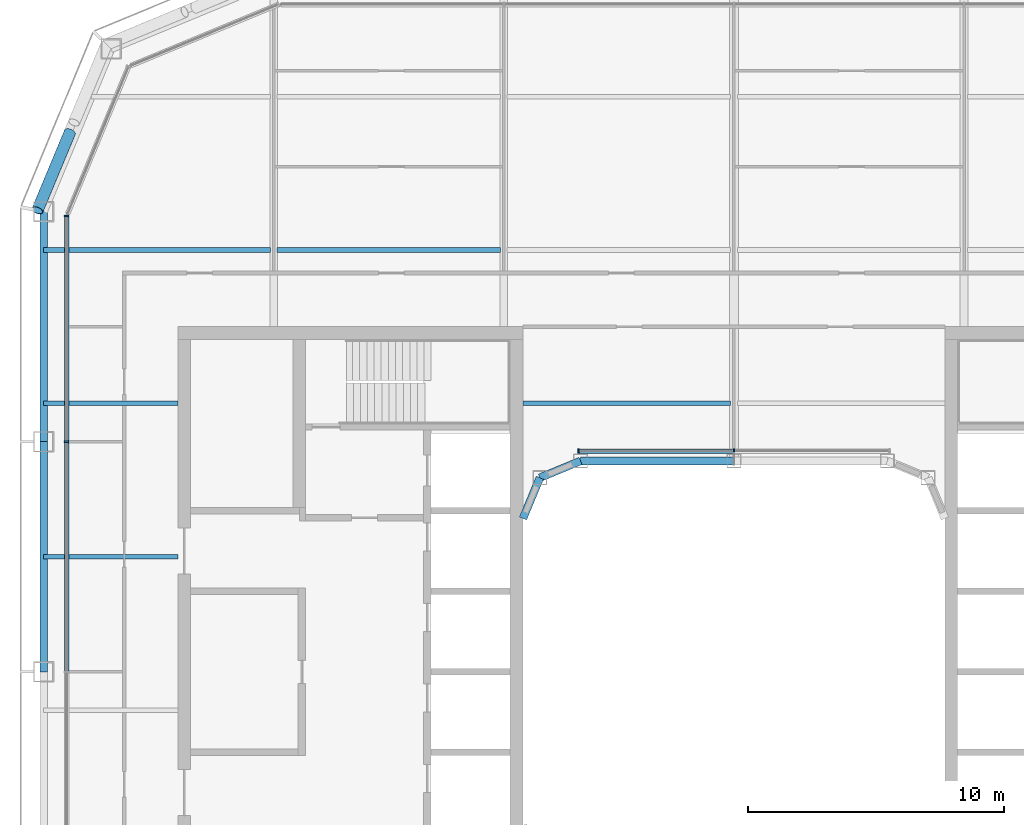
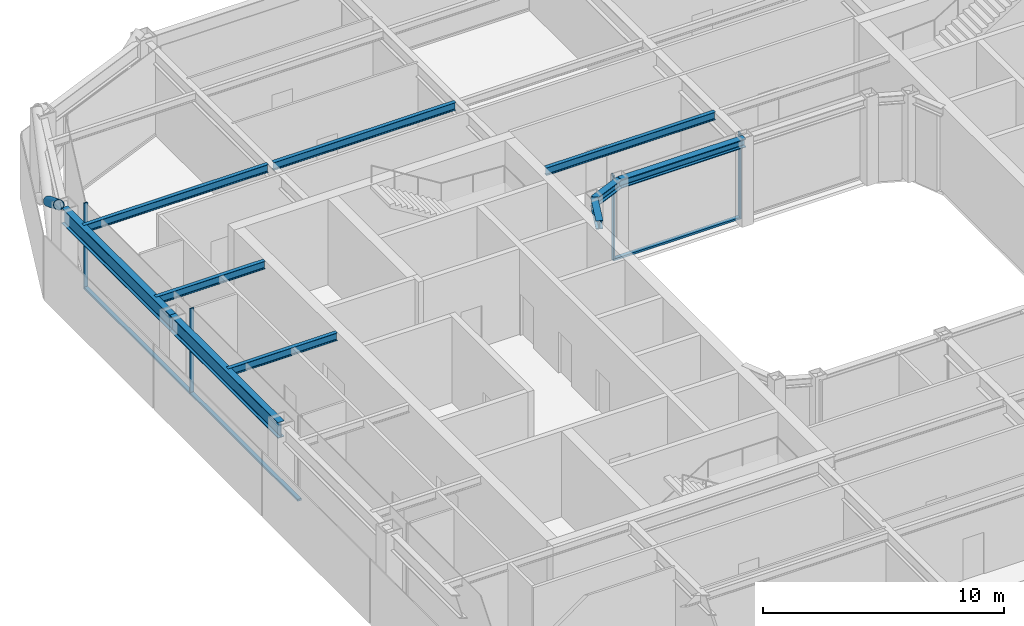
# One storey, part 6 of 23: 10 beams, 8 members, 2 elements without a shape of their own.
"""IFC4 building model written with IfcOpenShell, lengths in metres."""

from ifc_helpers import new_model, si_unit, direction, frame, origin, origin_2d, place, context, subcontext, project, spatial, rectangle, hollow_circle, i_section, extrude, material, layer, layer_set, material_profile, profile_set, type_object, element, aggregate, save


model = new_model("IFC4")

# Units and contexts
model_context = context("Model", 3, precision=1e-05, world=origin(), true_north=direction((0.0, 1.0)))
body_context = subcontext(model_context, "Body", "Model", "MODEL_VIEW")
ifc_project = project(units=[si_unit("LENGTHUNIT", "METRE"), si_unit("AREAUNIT", "SQUARE_METRE"), si_unit("VOLUMEUNIT", "CUBIC_METRE"), si_unit("PLANEANGLEUNIT", "RADIAN"), si_unit("MASSUNIT", "GRAM", prefix="KILO")], contexts=[model_context])

# Site, building, storey
site_placement = place(None, origin())
site = spatial("IfcSite", under=ifc_project, at=site_placement, CompositionType="ELEMENT")
building_placement = place(site_placement, origin())
building = spatial("IfcBuilding", under=site, at=building_placement, Name="Siwar Civic Tower", CompositionType="ELEMENT")
storey_placement = place(building_placement, frame((0.0, 0.0, 242.199951171875)))
storey = spatial("IfcBuildingStorey", under=building, at=storey_placement, Name="L52", CompositionType="ELEMENT", Elevation=242.199951171875)

# Curtain wall, members
ifc_material_1 = material(Name="Aluminium and glass", Category="aluminium")
ifc_layer_1 = layer(ifc_material_1, 0.179931640625)
ifc_layer_set_1 = layer_set([ifc_layer_1], Name="Aluminium and glass")
curtain_wall_type_1 = type_object("IfcCurtainWallType", Name="ENV-CW-C", PredefinedType="NOTDEFINED", material=ifc_layer_set_1)
curtain_wall_1_placement = place(storey_placement, origin())
curtain_wall_1 = element("IfcCurtainWall", 1, at=curtain_wall_1_placement, inside=storey, type_object=curtain_wall_type_1, Name="Curtain wall C W", PredefinedType="NOTDEFINED")
ifc_material_2 = material(Name="Aluminium 6063-T6", Category="aluminium")
ifc_material_profile_1 = material_profile(ifc_material_2, rectangle(XDim=0.179931640625, YDim=0.06005859375, at=origin_2d()), Name="AL 180x60")
ifc_profile_set_1 = profile_set([ifc_material_profile_1], Name="Aluminium 6063-T6")
member_type_1 = type_object("IfcMemberType", Name="ENV-MULLION-C", PredefinedType="MULLION", material=ifc_profile_set_1)
member_1_placement = place(storey_placement, frame((-26.10009765625, 17.821044921875, 0.0), z_axis=(0.0, 0.0, 1.0), x_axis=(1.0, 0.0, 0.0)))
member_1 = element("IfcMember", 2, at=member_1_placement, type_object=member_type_1, Name="Mullion C W 1", PredefinedType="MULLION", context=body_context, shape_type="SweptSolid", body=[
    extrude(rectangle(XDim=0.179931640625, YDim=0.06005859375, at=origin_2d()), origin(), (0.0, 0.0, 1.0), 4.35009765625),
])
member_2_placement = place(storey_placement, frame((-26.10009765625, 9.0, 0.0), z_axis=(0.0, 0.0, 1.0), x_axis=(1.0, 0.0, 0.0)))
member_2 = element("IfcMember", 3, at=member_2_placement, type_object=member_type_1, Name="Mullion C W 2", PredefinedType="MULLION", context=body_context, shape_type="SweptSolid", body=[
    extrude(rectangle(XDim=0.179931640625, YDim=0.06005859375, at=origin_2d()), origin(), (0.0, 0.0, 1.0), 4.35009765625),
])

ifc_material_3 = material(Name="Aluminium and glass", Category="aluminium")
ifc_layer_2 = layer(ifc_material_3, 0.179931640625)
ifc_layer_set_2 = layer_set([ifc_layer_2], Name="Aluminium and glass")
curtain_wall_type_2 = type_object("IfcCurtainWallType", Name="ENV-CW-W", PredefinedType="NOTDEFINED", material=ifc_layer_set_2)
curtain_wall_2_placement = place(storey_placement, origin())
curtain_wall_2 = element("IfcCurtainWall", 4, at=curtain_wall_2_placement, inside=storey, type_object=curtain_wall_type_2, Name="Curtain wall W WN", PredefinedType="NOTDEFINED")
ifc_material_4 = material(Name="Aluminium 6063-T6", Category="aluminium")
ifc_material_profile_2 = material_profile(ifc_material_4, rectangle(XDim=0.179931640625, YDim=0.06005859375, at=origin_2d()), Name="AL 180x60")
ifc_profile_set_2 = profile_set([ifc_material_profile_2], Name="Aluminium 6063-T6")
member_type_2 = type_object("IfcMemberType", Name="ENV-MULLION-W", PredefinedType="MULLION", material=ifc_profile_set_2)
member_3_placement = place(storey_placement, frame((0.0, 8.635009765625, 0.0), z_axis=(0.0, 0.0, 1.0), x_axis=(0.0, -1.0, 0.0)))
member_3 = element("IfcMember", 5, at=member_3_placement, type_object=member_type_2, Name="Mullion W WN 2", PredefinedType="MULLION", context=body_context, shape_type="SweptSolid", body=[
    extrude(rectangle(XDim=0.179931640625, YDim=0.06005859375, at=origin_2d()), origin(), (0.0, 0.0, 1.0), 4.35009765625),
])
member_4_placement = place(storey_placement, frame((-6.07666015625, 8.635009765625, 0.0), z_axis=(0.0, 0.0, 1.0), x_axis=(0.0, -1.0, 0.0)))
member_4 = element("IfcMember", 6, at=member_4_placement, type_object=member_type_2, Name="Mullion W WN 3", PredefinedType="MULLION", context=body_context, shape_type="SweptSolid", body=[
    extrude(rectangle(XDim=0.179931640625, YDim=0.06005859375, at=origin_2d()), origin(), (0.0, 0.0, 1.0), 4.35009765625),
])

# Member
ifc_material_5 = material(Name="Aluminium 6063-T6", Category="aluminium")
ifc_material_profile_3 = material_profile(ifc_material_5, rectangle(XDim=0.179931640625, YDim=0.10009765625, at=origin_2d()), Name="AL 180x100")
ifc_profile_set_3 = profile_set([ifc_material_profile_3], Name="Aluminium 6063-T6")
member_type_3 = type_object("IfcMemberType", Name="ENV-TRANSOM-C", PredefinedType="USERDEFINED", material=ifc_profile_set_3)
member_5_placement = place(storey_placement, frame((-26.10009765625, 17.791015625, 0.050048828125), z_axis=(0.0, -1.0, 0.0), x_axis=(1.0, 0.0, 0.0)))
member_5 = element("IfcMember", 7, at=member_5_placement, type_object=member_type_3, Name="Transom C W 1", ObjectType="TRANSOM", PredefinedType="USERDEFINED", context=body_context, shape_type="SweptSolid", body=[
    extrude(rectangle(XDim=0.179931640625, YDim=0.10009765625, at=origin_2d()), origin(), (0.0, 0.0, 1.0), 8.760986328125),
])

member_6_placement = place(storey_placement, frame((-26.10009765625, 8.969970703125, 0.050048828125), z_axis=(0.0, -1.0, 0.0), x_axis=(1.0, 0.0, 0.0)))
member_6 = element("IfcMember", 8, at=member_6_placement, type_object=member_type_3, Name="Transom C W 2", ObjectType="TRANSOM", PredefinedType="USERDEFINED", context=body_context, shape_type="SweptSolid", body=[
    extrude(rectangle(XDim=0.179931640625, YDim=0.10009765625, at=origin_2d()), origin(), (0.0, 0.0, 1.0), 8.93994140625),
])

aggregate(curtain_wall_1, [member_1, member_2, member_5, member_6])

ifc_material_6 = material(Name="Aluminium 6063-T6", Category="aluminium")
ifc_material_profile_4 = material_profile(ifc_material_6, rectangle(XDim=0.179931640625, YDim=0.10009765625, at=origin_2d()), Name="AL 180x100")
ifc_profile_set_4 = profile_set([ifc_material_profile_4], Name="Aluminium 6063-T6")
member_type_4 = type_object("IfcMemberType", Name="ENV-TRANSOM-W", PredefinedType="USERDEFINED", material=ifc_profile_set_4)
member_7_placement = place(storey_placement, frame((-0.030029296875, 8.635009765625, 0.050048828125), z_axis=(-1.0, 0.0, 0.0), x_axis=(0.0, -1.0, 0.0)))
member_7 = element("IfcMember", 9, at=member_7_placement, type_object=member_type_4, Name="Transom W WN 2", ObjectType="TRANSOM", PredefinedType="USERDEFINED", context=body_context, shape_type="SweptSolid", body=[
    extrude(rectangle(XDim=0.179931640625, YDim=0.10009765625, at=origin_2d()), origin(), (0.0, 0.0, 1.0), 6.0166015625),
])

aggregate(curtain_wall_2, [member_3, member_4, member_7])

ifc_material_7 = material(Name="Steel S355", Category="steel")
ifc_material_profile_5 = material_profile(ifc_material_7, hollow_circle(Radius=0.228515625, WallThickness=0.02001953125, at=origin_2d()), Name="CHS457x20")
ifc_profile_set_5 = profile_set([ifc_material_profile_5], Name="Steel S355")
member_type_5 = type_object("IfcMemberType", Name="STR-BR-CHS457x20", PredefinedType="BRACE", material=ifc_profile_set_5)
member_8_placement = place(storey_placement, frame((-25.972900390625, 21.10302734375, 2.383056640625), z_axis=(-0.323895306243, -0.777572496853, 0.538955325357), x_axis=(0.92311621485, -0.38452107079, 0.0)))
element("IfcMember", 10, at=member_8_placement, inside=storey, type_object=member_type_5, Name="L52/brc/CNW1-12-0-3", PredefinedType="BRACE", context=body_context, shape_type="SweptSolid", body=[
    extrude(hollow_circle(Radius=0.228515625, WallThickness=0.02001953125, at=origin_2d()), origin(), (0.0, 0.0, 1.0), 3.927978515625),
])

# Beams
ifc_material_8 = material(Name="Steel S355", Category="steel")
ifc_material_profile_6 = material_profile(ifc_material_8, i_section(OverallWidth=0.179931640625, OverallDepth=0.39990234375, WebThickness=0.008544921875, FlangeThickness=0.013427734375, FilletRadius=0.02099609375, at=origin_2d()), Name="IPE400")
ifc_profile_set_6 = profile_set([ifc_material_profile_6], Name="Steel S355")
beam_type_1 = type_object("IfcBeamType", Name="STR-FB-IPE400", PredefinedType="JOIST", material=ifc_profile_set_6)
for number, where, z_axis, x_axis, name in (
    (11, (-27.0, 4.5, 4.150146484375), (1.0, 0.0, 0.0), (0.0, 1.0, 0.0), "L52/bm/F025"),
    (12, (-27.0, 10.5, 4.150146484375), (1.0, 0.0, 0.0), (0.0, 1.0, 0.0), "L52/bm/F027"),
):
    element("IfcBeam", number, at=place(storey_placement, frame(where, z_axis=z_axis, x_axis=x_axis)), inside=storey, type_object=beam_type_1, Name=name, PredefinedType="JOIST", context=body_context, shape_type="SweptSolid", body=[
        extrude(i_section(OverallWidth=0.179931640625, OverallDepth=0.39990234375, WebThickness=0.008544921875, FlangeThickness=0.013427734375, FilletRadius=0.02099609375, at=origin_2d()), origin(), (0.0, 0.0, 1.0), 5.25),
    ])
beam_1_placement = place(storey_placement, frame((-8.25, 10.5, 4.150146484375), z_axis=(1.0, 0.0, 0.0), x_axis=(0.0, 1.0, 0.0)))
element("IfcBeam", 13, at=beam_1_placement, inside=storey, type_object=beam_type_1, Name="L52/bm/F028", PredefinedType="JOIST", context=body_context, shape_type="SweptSolid", body=[
    extrude(i_section(OverallWidth=0.179931640625, OverallDepth=0.39990234375, WebThickness=0.008544921875, FlangeThickness=0.013427734375, FilletRadius=0.02099609375, at=origin_2d()), origin(), (0.0, 0.0, 1.0), 8.1201171875),
])
beam_2_placement = place(storey_placement, frame((-27.0, 16.5, 4.150146484375), z_axis=(1.0, 0.0, 0.0), x_axis=(0.0, 1.0, 0.0)))
element("IfcBeam", 14, at=beam_2_placement, inside=storey, type_object=beam_type_1, Name="L52/bm/F031", PredefinedType="JOIST", context=body_context, shape_type="SweptSolid", body=[
    extrude(i_section(OverallWidth=0.179931640625, OverallDepth=0.39990234375, WebThickness=0.008544921875, FlangeThickness=0.013427734375, FilletRadius=0.02099609375, at=origin_2d()), origin(), (0.0, 0.0, 1.0), 8.8701171875),
])
beam_3_placement = place(storey_placement, frame((-17.8701171875, 16.5, 4.150146484375), z_axis=(1.0, 0.0, 0.0), x_axis=(0.0, 1.0, 0.0)))
element("IfcBeam", 15, at=beam_3_placement, inside=storey, type_object=beam_type_1, Name="L52/bm/F032", PredefinedType="JOIST", context=body_context, shape_type="SweptSolid", body=[
    extrude(i_section(OverallWidth=0.179931640625, OverallDepth=0.39990234375, WebThickness=0.008544921875, FlangeThickness=0.013427734375, FilletRadius=0.02099609375, at=origin_2d()), origin(), (0.0, 0.0, 1.0), 8.740234375),
])
ifc_material_9 = material(Name="Steel S355", Category="steel")
ifc_material_profile_7 = material_profile(ifc_material_9, i_section(OverallWidth=0.306884765625, OverallDepth=0.431884765625, WebThickness=0.02099609375, FlangeThickness=0.0400390625, FilletRadius=0.027099609375, at=origin_2d()), Name="HEM400")
ifc_profile_set_7 = profile_set([ifc_material_profile_7], Name="Steel S355")
beam_type_2 = type_object("IfcBeamType", Name="STR-RB-HEM400", PredefinedType="BEAM", material=ifc_profile_set_7)
beam_4_placement = place(storey_placement, frame((-7.591064453125, 7.591064453125, 4.134033203125), z_axis=(0.923901072997, 0.382631424892, 0.0), x_axis=(-0.382631424892, 0.923901072997, 0.0)))
element("IfcBeam", 16, at=beam_4_placement, inside=storey, type_object=beam_type_2, Name="L52/bm/RN0", PredefinedType="BEAM", context=body_context, shape_type="SweptSolid", body=[
    extrude(i_section(OverallWidth=0.306884765625, OverallDepth=0.431884765625, WebThickness=0.02099609375, FlangeThickness=0.0400390625, FilletRadius=0.027099609375, at=origin_2d()), origin(), (0.0, 0.0, 1.0), 1.72216796875),
])
beam_5_placement = place(storey_placement, frame((-6.0, 8.25, 4.134033203125), z_axis=(1.0, 0.0, 0.0), x_axis=(0.0, 1.0, 0.0)))
element("IfcBeam", 17, at=beam_5_placement, inside=storey, type_object=beam_type_2, Name="L52/bm/RN1", PredefinedType="BEAM", context=body_context, shape_type="SweptSolid", body=[
    extrude(i_section(OverallWidth=0.306884765625, OverallDepth=0.431884765625, WebThickness=0.02099609375, FlangeThickness=0.0400390625, FilletRadius=0.027099609375, at=origin_2d()), origin(), (0.0, 0.0, 1.0), 6.0),
])
beam_6_placement = place(storey_placement, frame((-7.591064453125, 7.591064453125, 4.134033203125), z_axis=(-0.382631424892, -0.923901072997, 0.0), x_axis=(0.923901072997, -0.382631424892, 0.0)))
element("IfcBeam", 18, at=beam_6_placement, inside=storey, type_object=beam_type_2, Name="L52/bm/RNEW", PredefinedType="BEAM", context=body_context, shape_type="SweptSolid", body=[
    extrude(i_section(OverallWidth=0.306884765625, OverallDepth=0.431884765625, WebThickness=0.02099609375, FlangeThickness=0.0400390625, FilletRadius=0.027099609375, at=origin_2d()), origin(), (0.0, 0.0, 1.0), 1.72216796875),
])
ifc_material_10 = material(Name="Steel S355", Category="steel")
ifc_material_profile_8 = material_profile(ifc_material_10, i_section(OverallWidth=0.300048828125, OverallDepth=0.800048828125, WebThickness=0.017578125, FlangeThickness=0.032958984375, FilletRadius=0.030029296875, at=origin_2d()), Name="HEB800")
ifc_profile_set_8 = profile_set([ifc_material_profile_8], Name="Steel S355")
beam_type_3 = type_object("IfcBeamType", Name="STR-SB-HEB800", PredefinedType="BEAM", material=ifc_profile_set_8)
for number, where, z_axis, x_axis, name in (
    (19, (-27.0, 18.0, 3.949951171875), (0.0, -1.0, 0.0), (1.0, 0.0, 0.0), "L52/bm/SW-0"),
    (20, (-27.0, 9.0, 3.949951171875), (0.0, -1.0, 0.0), (1.0, 0.0, 0.0), "L52/bm/SW-1"),
):
    element("IfcBeam", number, at=place(storey_placement, frame(where, z_axis=z_axis, x_axis=x_axis)), inside=storey, type_object=beam_type_3, Name=name, PredefinedType="BEAM", context=body_context, shape_type="SweptSolid", body=[
        extrude(i_section(OverallWidth=0.300048828125, OverallDepth=0.800048828125, WebThickness=0.017578125, FlangeThickness=0.032958984375, FilletRadius=0.030029296875, at=origin_2d()), origin(), (0.0, 0.0, 1.0), 9.0),
    ])

save(model, "model.ifc")
